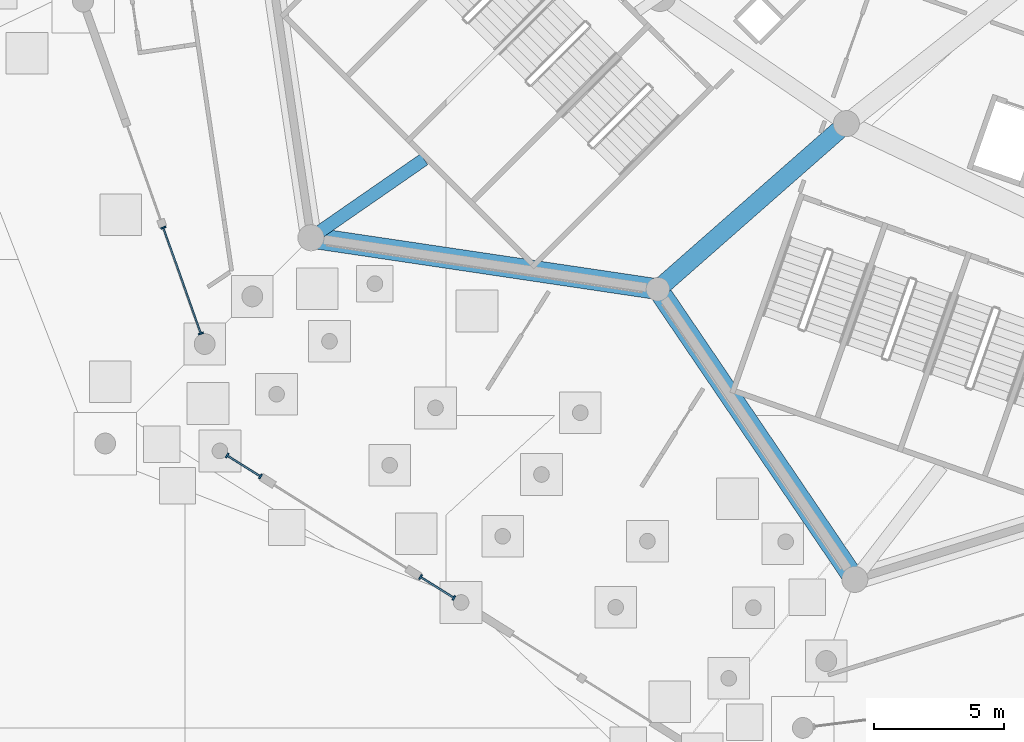
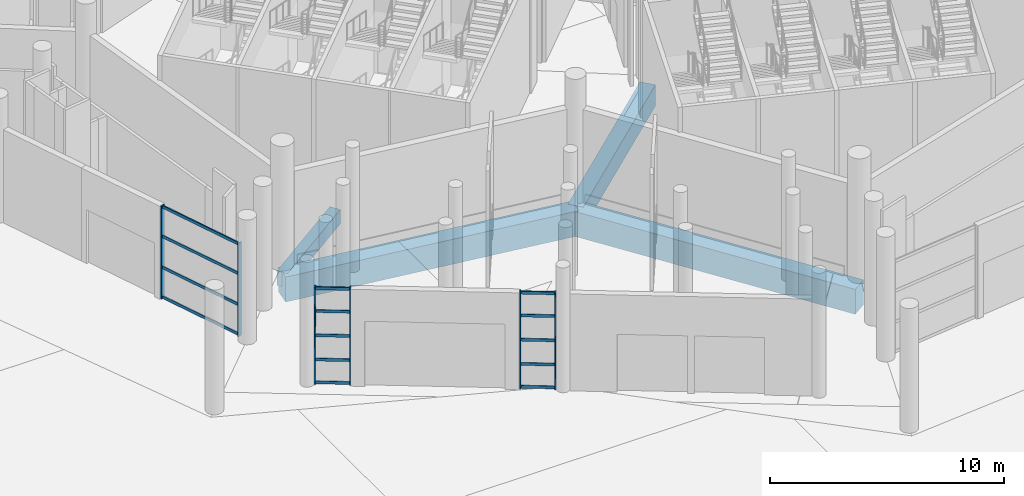
# One storey, part 16 of 255: 20 members, 4 beams, 3 elements without a shape of their own.
"""IFC4 building model written with IfcOpenShell, lengths in metres."""

from ifc_helpers import new_model, si_unit, direction, frame, origin, origin_2d, place, context, subcontext, project, spatial, rectangle, extrude, material, layer, layer_set, material_profile, profile_set, type_object, element, aggregate, save


model = new_model("IFC4")

# Units and contexts
model_context = context("Model", 3, precision=1e-05, world=origin(), true_north=direction((0.0, 1.0)))
body_context = subcontext(model_context, "Body", "Model", "MODEL_VIEW")
ifc_project = project(units=[si_unit("LENGTHUNIT", "METRE"), si_unit("AREAUNIT", "SQUARE_METRE"), si_unit("VOLUMEUNIT", "CUBIC_METRE"), si_unit("PLANEANGLEUNIT", "RADIAN"), si_unit("MASSUNIT", "GRAM", prefix="KILO")], contexts=[model_context])

# Site, building, storey
site_placement = place(None, origin())
site = spatial("IfcSite", under=ifc_project, at=site_placement, CompositionType="ELEMENT")
building_placement = place(site_placement, origin())
building = spatial("IfcBuilding", under=site, at=building_placement, Name="Meseta Stadium", CompositionType="ELEMENT")
storey_placement = place(building_placement, origin())
storey = spatial("IfcBuildingStorey", under=building, at=storey_placement, Name="L00", CompositionType="ELEMENT", Elevation=0.0)

# Beams
ifc_material_1 = material(Name="Concrete C40/50", Category="concrete")
ifc_material_profile_1 = material_profile(ifc_material_1, rectangle(XDim=0.5, YDim=0.75, at=origin_2d()), Name="RC 500x750")
ifc_profile_set_1 = profile_set([ifc_material_profile_1], Name="Concrete C40/50")
beam_type_1 = type_object("IfcBeamType", Name="RC beam 500x750", PredefinedType="BEAM", material=ifc_profile_set_1)
beam_1_placement = place(storey_placement, frame((-80.830078125, -86.16357421875, -0.77490234375), z_axis=(-0.821929323184, -0.569589490503, 0.0), x_axis=(0.569589490503, -0.821929323184, 0.0)))
element("IfcBeam", 1, at=beam_1_placement, inside=storey, type_object=beam_type_1, Name="L00 radial beam frame 40 line P to R", PredefinedType="BEAM", context=body_context, shape_type="SweptSolid", body=[
    extrude(rectangle(XDim=0.5, YDim=0.75, at=origin_2d()), origin(), (0.0, 0.0, 1.0), 5.284423828125),
])
ifc_material_2 = material(Name="Concrete C40/50", Category="concrete")
ifc_material_profile_2 = material_profile(ifc_material_2, rectangle(XDim=0.699951171875, YDim=1.10009765625, at=origin_2d()), Name="RC 700x1100")
ifc_profile_set_2 = profile_set([ifc_material_profile_2], Name="Concrete C40/50")
beam_type_2 = type_object("IfcBeamType", Name="RC beam 700x1100", PredefinedType="BEAM", material=ifc_profile_set_2)
beam_2_placement = place(storey_placement, frame((-64.6220703125, -84.79248046875, -0.949951171875), z_axis=(-0.751128714449, -0.66015578035, 0.0), x_axis=(0.66015578035, -0.751128714449, 0.0)))
element("IfcBeam", 2, at=beam_2_placement, inside=storey, type_object=beam_type_2, Name="L00 radial beam frame 41 line P to R", PredefinedType="BEAM", context=body_context, shape_type="SweptSolid", body=[
    extrude(rectangle(XDim=0.699951171875, YDim=1.10009765625, at=origin_2d()), origin(), (0.0, 0.0, 1.0), 9.631591796875),
])
ifc_material_3 = material(Name="Concrete C40/50", Category="concrete")
ifc_material_profile_3 = material_profile(ifc_material_3, rectangle(XDim=0.800048828125, YDim=1.300048828125, at=origin_2d()), Name="RC 800x1300")
ifc_profile_set_3 = profile_set([ifc_material_profile_3], Name="Concrete C40/50")
beam_type_3 = type_object("IfcBeamType", Name="RC beam 800x1300", PredefinedType="BEAM", material=ifc_profile_set_3)
beam_3_placement = place(storey_placement, frame((-85.173583984375, -89.173583984375, -1.050048828125), z_axis=(0.989155798373, -0.146870032835, 0.0), x_axis=(0.146870032835, 0.989155798373, 0.0)))
element("IfcBeam", 3, at=beam_3_placement, inside=storey, type_object=beam_type_3, Name="L00 ring beam frame 40 line R", PredefinedType="BEAM", context=body_context, shape_type="SweptSolid", body=[
    extrude(rectangle(XDim=0.800048828125, YDim=1.300048828125, at=origin_2d()), origin(), (0.0, 0.0, 1.0), 13.462890625),
])
beam_4_placement = place(storey_placement, frame((-71.856689453125, -91.15087890625, -1.050048828125), z_axis=(0.561486340317, -0.827486005705, 0.0), x_axis=(0.827486005705, 0.561486340317, 0.0)))
element("IfcBeam", 4, at=beam_4_placement, inside=storey, type_object=beam_type_3, Name="L00 ring beam frame 41 line R", PredefinedType="BEAM", context=body_context, shape_type="SweptSolid", body=[
    extrude(rectangle(XDim=0.800048828125, YDim=1.300048828125, at=origin_2d()), origin(), (0.0, 0.0, 1.0), 13.462646484375),
])

# Curtain wall, members
ifc_material_4 = material(Name="Aluminium", Category="aluminium")
ifc_layer_1 = layer(ifc_material_4, 0.199951171875)
ifc_layer_set_1 = layer_set([ifc_layer_1], Name="Ring shopfront curtain wall")
curtain_wall_type_1 = type_object("IfcCurtainWallType", Name="Ring shopfront curtain wall", PredefinedType="NOTDEFINED", material=ifc_layer_set_1)
curtain_wall_1_placement = place(storey_placement, origin())
curtain_wall_1 = element("IfcCurtainWall", 5, at=curtain_wall_1_placement, inside=storey, type_object=curtain_wall_type_1, Name="Shopfront glazing F39b", PredefinedType="NOTDEFINED")
ifc_material_5 = material(Name="Aluminium", Category="aluminium")
ifc_material_profile_4 = material_profile(ifc_material_5, rectangle(XDim=0.199951171875, YDim=0.06005859375, at=origin_2d()), Name="CW 200x60")
ifc_profile_set_4 = profile_set([ifc_material_profile_4], Name="Aluminium")
member_type_1 = type_object("IfcMemberType", Name="Ring CW mullion 60x200", PredefinedType="MULLION", material=ifc_profile_set_4)
member_1_placement = place(storey_placement, frame((-90.843017578125, -88.78515625, 0.0), z_axis=(0.0, 0.0, 1.0), x_axis=(0.942282835912, 0.334817946273, 0.0)))
member_1 = element("IfcMember", 6, at=member_1_placement, type_object=member_type_1, Name="CWR1 mullion 1", PredefinedType="MULLION", context=body_context, shape_type="SweptSolid", body=[
    extrude(rectangle(XDim=0.199951171875, YDim=0.06005859375, at=origin_2d()), origin(), (0.0, 0.0, 1.0), 4.85009765625),
])
member_2_placement = place(storey_placement, frame((-89.39892578125, -92.849609375, 0.0), z_axis=(0.0, 0.0, 1.0), x_axis=(0.942282835912, 0.334817946273, 0.0)))
member_2 = element("IfcMember", 7, at=member_2_placement, type_object=member_type_1, Name="CWR1 mullion 2", PredefinedType="MULLION", context=body_context, shape_type="SweptSolid", body=[
    extrude(rectangle(XDim=0.199951171875, YDim=0.06005859375, at=origin_2d()), origin(), (0.0, 0.0, 1.0), 4.85009765625),
])

ifc_material_6 = material(Name="Aluminium", Category="aluminium")
ifc_layer_2 = layer(ifc_material_6, 0.199951171875)
ifc_layer_set_2 = layer_set([ifc_layer_2], Name="Gate hall curtain wall")
curtain_wall_type_2 = type_object("IfcCurtainWallType", Name="Gate hall curtain wall", PredefinedType="NOTDEFINED", material=ifc_layer_set_2)
curtain_wall_2_placement = place(storey_placement, origin())
curtain_wall_2 = element("IfcCurtainWall", 8, at=curtain_wall_2_placement, inside=storey, type_object=curtain_wall_type_2, Name="Gate 6 glazing", PredefinedType="NOTDEFINED")
member_3_placement = place(storey_placement, frame((-88.389892578125, -97.53271484375, 0.0), z_axis=(0.0, 0.0, 1.0), x_axis=(0.532022531189, 0.846730196879, 0.0)))
member_3 = element("IfcMember", 9, at=member_3_placement, type_object=member_type_1, Name="CWG1 mullion 1", PredefinedType="MULLION", context=body_context, shape_type="SweptSolid", body=[
    extrude(rectangle(XDim=0.199951171875, YDim=0.06005859375, at=origin_2d()), origin(), (0.0, 0.0, 1.0), 5.050048828125),
])
member_4_placement = place(storey_placement, frame((-87.114013671875, -98.33447265625, 0.0), z_axis=(0.0, 0.0, 1.0), x_axis=(0.532022531189, 0.846730196879, 0.0)))
member_4 = element("IfcMember", 10, at=member_4_placement, type_object=member_type_1, Name="CWG1 mullion 2", PredefinedType="MULLION", context=body_context, shape_type="SweptSolid", body=[
    extrude(rectangle(XDim=0.199951171875, YDim=0.06005859375, at=origin_2d()), origin(), (0.0, 0.0, 1.0), 5.050048828125),
])

curtain_wall_3_placement = place(storey_placement, origin())
curtain_wall_3 = element("IfcCurtainWall", 11, at=curtain_wall_3_placement, inside=storey, type_object=curtain_wall_type_2, Name="Gate 6 glazing", PredefinedType="NOTDEFINED")
member_5_placement = place(storey_placement, frame((-80.966796875, -102.197021484375, 0.0), z_axis=(0.0, 0.0, 1.0), x_axis=(0.532022531189, 0.846730196879, 0.0)))
member_5 = element("IfcMember", 12, at=member_5_placement, type_object=member_type_1, Name="CWG1 mullion 1", PredefinedType="MULLION", context=body_context, shape_type="SweptSolid", body=[
    extrude(rectangle(XDim=0.199951171875, YDim=0.06005859375, at=origin_2d()), origin(), (0.0, 0.0, 1.0), 5.050048828125),
])
member_6_placement = place(storey_placement, frame((-79.69091796875, -102.998779296875, 0.0), z_axis=(0.0, 0.0, 1.0), x_axis=(0.532022531189, 0.846730196879, 0.0)))
member_6 = element("IfcMember", 13, at=member_6_placement, type_object=member_type_1, Name="CWG1 mullion 2", PredefinedType="MULLION", context=body_context, shape_type="SweptSolid", body=[
    extrude(rectangle(XDim=0.199951171875, YDim=0.06005859375, at=origin_2d()), origin(), (0.0, 0.0, 1.0), 5.050048828125),
])

# Member
ifc_material_7 = material(Name="Aluminium", Category="aluminium")
ifc_material_profile_5 = material_profile(ifc_material_7, rectangle(XDim=0.06005859375, YDim=0.14990234375, at=origin_2d()), Name="CW 60x150")
ifc_profile_set_5 = profile_set([ifc_material_profile_5], Name="Aluminium")
member_type_2 = type_object("IfcMemberType", Name="Ring CW transom 60x150", PredefinedType="USERDEFINED", material=ifc_profile_set_5)
member_7_placement = place(storey_placement, frame((-90.8330078125, -88.8134765625, 0.074951171875), z_axis=(0.334816019457, -0.942283520558, 0.0), x_axis=(0.942283520558, 0.334816019457, 0.0)))
member_7 = element("IfcMember", 14, at=member_7_placement, type_object=member_type_2, Name="CWR1 transom 1.1", ObjectType="TRANSOM", PredefinedType="USERDEFINED", context=body_context, shape_type="SweptSolid", body=[
    extrude(rectangle(XDim=0.06005859375, YDim=0.14990234375, at=origin_2d()), origin(), (0.0, 0.0, 1.0), 4.25341796875),
])

member_8_placement = place(storey_placement, frame((-90.8330078125, -88.8134765625, 1.61669921875), z_axis=(0.334816019457, -0.942283520558, 0.0), x_axis=(0.942283520558, 0.334816019457, 0.0)))
member_8 = element("IfcMember", 15, at=member_8_placement, type_object=member_type_2, Name="CWR1 transom 1.2", ObjectType="TRANSOM", PredefinedType="USERDEFINED", context=body_context, shape_type="SweptSolid", body=[
    extrude(rectangle(XDim=0.06005859375, YDim=0.14990234375, at=origin_2d()), origin(), (0.0, 0.0, 1.0), 4.25341796875),
])

member_9_placement = place(storey_placement, frame((-90.8330078125, -88.8134765625, 3.2333984375), z_axis=(0.334816019457, -0.942283520558, 0.0), x_axis=(0.942283520558, 0.334816019457, 0.0)))
member_9 = element("IfcMember", 16, at=member_9_placement, type_object=member_type_2, Name="CWR1 transom 1.3", ObjectType="TRANSOM", PredefinedType="USERDEFINED", context=body_context, shape_type="SweptSolid", body=[
    extrude(rectangle(XDim=0.06005859375, YDim=0.14990234375, at=origin_2d()), origin(), (0.0, 0.0, 1.0), 4.25341796875),
])

member_10_placement = place(storey_placement, frame((-90.8330078125, -88.8134765625, 4.77490234375), z_axis=(0.334816019457, -0.942283520558, 0.0), x_axis=(0.942283520558, 0.334816019457, 0.0)))
member_10 = element("IfcMember", 17, at=member_10_placement, type_object=member_type_2, Name="CWR1 transom 1.4", ObjectType="TRANSOM", PredefinedType="USERDEFINED", context=body_context, shape_type="SweptSolid", body=[
    extrude(rectangle(XDim=0.06005859375, YDim=0.14990234375, at=origin_2d()), origin(), (0.0, 0.0, 1.0), 4.25341796875),
])

aggregate(curtain_wall_1, [member_1, member_2, member_7, member_8, member_9, member_10])

member_11_placement = place(storey_placement, frame((-88.364501953125, -97.548828125, 0.074951171875), z_axis=(0.846801607766, -0.531908861634, 0.0), x_axis=(0.531908861634, 0.846801607766, 0.0)))
member_11 = element("IfcMember", 18, at=member_11_placement, type_object=member_type_2, Name="CWG1 transom 1.1", ObjectType="TRANSOM", PredefinedType="USERDEFINED", context=body_context, shape_type="SweptSolid", body=[
    extrude(rectangle(XDim=0.06005859375, YDim=0.14990234375, at=origin_2d()), origin(), (0.0, 0.0, 1.0), 1.44677734375),
])

member_12_placement = place(storey_placement, frame((-88.364501953125, -97.548828125, 1.262451171875), z_axis=(0.846801607766, -0.531908861634, 0.0), x_axis=(0.531908861634, 0.846801607766, 0.0)))
member_12 = element("IfcMember", 19, at=member_12_placement, type_object=member_type_2, Name="CWG1 transom 1.2", ObjectType="TRANSOM", PredefinedType="USERDEFINED", context=body_context, shape_type="SweptSolid", body=[
    extrude(rectangle(XDim=0.06005859375, YDim=0.14990234375, at=origin_2d()), origin(), (0.0, 0.0, 1.0), 1.44677734375),
])

member_13_placement = place(storey_placement, frame((-88.364501953125, -97.548828125, 2.52490234375), z_axis=(0.846801607766, -0.531908861634, 0.0), x_axis=(0.531908861634, 0.846801607766, 0.0)))
member_13 = element("IfcMember", 20, at=member_13_placement, type_object=member_type_2, Name="CWG1 transom 1.3", ObjectType="TRANSOM", PredefinedType="USERDEFINED", context=body_context, shape_type="SweptSolid", body=[
    extrude(rectangle(XDim=0.06005859375, YDim=0.14990234375, at=origin_2d()), origin(), (0.0, 0.0, 1.0), 1.44677734375),
])

member_14_placement = place(storey_placement, frame((-88.364501953125, -97.548828125, 3.78759765625), z_axis=(0.846801607766, -0.531908861634, 0.0), x_axis=(0.531908861634, 0.846801607766, 0.0)))
member_14 = element("IfcMember", 21, at=member_14_placement, type_object=member_type_2, Name="CWG1 transom 1.4", ObjectType="TRANSOM", PredefinedType="USERDEFINED", context=body_context, shape_type="SweptSolid", body=[
    extrude(rectangle(XDim=0.06005859375, YDim=0.14990234375, at=origin_2d()), origin(), (0.0, 0.0, 1.0), 1.44677734375),
])

member_15_placement = place(storey_placement, frame((-88.364501953125, -97.548828125, 4.97509765625), z_axis=(0.846801607766, -0.531908861634, 0.0), x_axis=(0.531908861634, 0.846801607766, 0.0)))
member_15 = element("IfcMember", 22, at=member_15_placement, type_object=member_type_2, Name="CWG1 transom 1.5", ObjectType="TRANSOM", PredefinedType="USERDEFINED", context=body_context, shape_type="SweptSolid", body=[
    extrude(rectangle(XDim=0.06005859375, YDim=0.14990234375, at=origin_2d()), origin(), (0.0, 0.0, 1.0), 1.44677734375),
])

aggregate(curtain_wall_2, [member_3, member_4, member_11, member_12, member_13, member_14, member_15])

member_16_placement = place(storey_placement, frame((-80.94140625, -102.213134765625, 0.074951171875), z_axis=(0.846801607766, -0.531908861634, 0.0), x_axis=(0.531908861634, 0.846801607766, 0.0)))
member_16 = element("IfcMember", 23, at=member_16_placement, type_object=member_type_2, Name="CWG1 transom 1.1", ObjectType="TRANSOM", PredefinedType="USERDEFINED", context=body_context, shape_type="SweptSolid", body=[
    extrude(rectangle(XDim=0.06005859375, YDim=0.14990234375, at=origin_2d()), origin(), (0.0, 0.0, 1.0), 1.44677734375),
])

member_17_placement = place(storey_placement, frame((-80.94140625, -102.213134765625, 1.262451171875), z_axis=(0.846801607766, -0.531908861634, 0.0), x_axis=(0.531908861634, 0.846801607766, 0.0)))
member_17 = element("IfcMember", 24, at=member_17_placement, type_object=member_type_2, Name="CWG1 transom 1.2", ObjectType="TRANSOM", PredefinedType="USERDEFINED", context=body_context, shape_type="SweptSolid", body=[
    extrude(rectangle(XDim=0.06005859375, YDim=0.14990234375, at=origin_2d()), origin(), (0.0, 0.0, 1.0), 1.44677734375),
])

member_18_placement = place(storey_placement, frame((-80.94140625, -102.213134765625, 2.52490234375), z_axis=(0.846801607766, -0.531908861634, 0.0), x_axis=(0.531908861634, 0.846801607766, 0.0)))
member_18 = element("IfcMember", 25, at=member_18_placement, type_object=member_type_2, Name="CWG1 transom 1.3", ObjectType="TRANSOM", PredefinedType="USERDEFINED", context=body_context, shape_type="SweptSolid", body=[
    extrude(rectangle(XDim=0.06005859375, YDim=0.14990234375, at=origin_2d()), origin(), (0.0, 0.0, 1.0), 1.44677734375),
])

member_19_placement = place(storey_placement, frame((-80.94140625, -102.213134765625, 3.78759765625), z_axis=(0.846801607766, -0.531908861634, 0.0), x_axis=(0.531908861634, 0.846801607766, 0.0)))
member_19 = element("IfcMember", 26, at=member_19_placement, type_object=member_type_2, Name="CWG1 transom 1.4", ObjectType="TRANSOM", PredefinedType="USERDEFINED", context=body_context, shape_type="SweptSolid", body=[
    extrude(rectangle(XDim=0.06005859375, YDim=0.14990234375, at=origin_2d()), origin(), (0.0, 0.0, 1.0), 1.44677734375),
])

member_20_placement = place(storey_placement, frame((-80.94140625, -102.213134765625, 4.97509765625), z_axis=(0.846801607766, -0.531908861634, 0.0), x_axis=(0.531908861634, 0.846801607766, 0.0)))
member_20 = element("IfcMember", 27, at=member_20_placement, type_object=member_type_2, Name="CWG1 transom 1.5", ObjectType="TRANSOM", PredefinedType="USERDEFINED", context=body_context, shape_type="SweptSolid", body=[
    extrude(rectangle(XDim=0.06005859375, YDim=0.14990234375, at=origin_2d()), origin(), (0.0, 0.0, 1.0), 1.44677734375),
])

aggregate(curtain_wall_3, [member_5, member_6, member_16, member_17, member_18, member_19, member_20])

save(model, "model.ifc")
